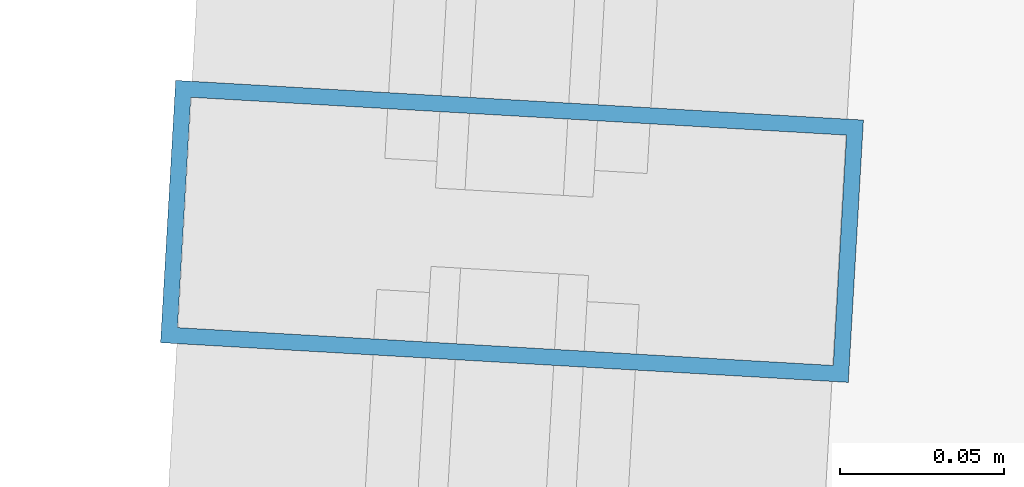
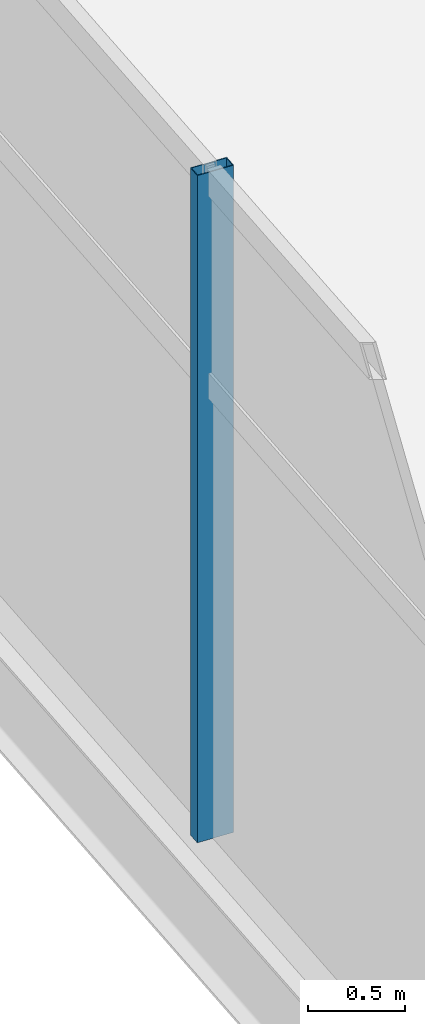
# One storey, part 38 of 184: 1 member, 1 element without a shape of its own.
"""IFC4 building model written with IfcOpenShell, lengths in metres."""

import ifcopenshell
import ifcopenshell.guid

model = None  # the IFC model being written
_history = None  # IfcOwnerHistory: only IFC2X3 demands one
_inside = {}  # id of a spatial element -> (the spatial element, [elements in it])
_under = {}  # id of a project, library or spatial element -> (it, [spatial elements below it])
_declared = {}  # id of a project -> (the project, [libraries it declares])
_typed = {}  # id of a type object -> (the type object, [elements of that type])
_made_of = {}  # id of a material, layer set ... -> (it, [elements and type objects made of it])


def new_model(schema):
    """Start an empty IFC model of exactly this schema.

    Asked for "IFC4X3", IfcOpenShell would pick the latest addendum, in which some entities
    have other attributes; the version numbers below select the first issue.
    IFC2X3 requires an IfcOwnerHistory on every rooted entity: one is made here for all.
    """
    global model, _history
    if schema == "IFC4X3":
        model = ifcopenshell.file(schema_version=(4, 3, 0, 0))
    else:
        model = ifcopenshell.file(schema=schema)
    _inside.clear()
    _under.clear()
    _declared.clear()
    _typed.clear()
    _made_of.clear()
    _history = None
    if model.schema == "IFC2X3":
        org = make("IfcOrganization", Name="unknown")
        user = make(
            "IfcPersonAndOrganization",
            ThePerson=make("IfcPerson", FamilyName="unknown"),
            TheOrganization=org,
        )
        app = make(
            "IfcApplication",
            ApplicationDeveloper=org,
            Version="unknown",
            ApplicationFullName="unknown",
            ApplicationIdentifier="unknown",
        )
        _history = make(
            "IfcOwnerHistory",
            OwningUser=user,
            OwningApplication=app,
            ChangeAction="ADDED",
            CreationDate=0,
        )
    return model


def make(cls, **values):
    """One entity of the class cls with the attributes given. An attribute that is None is left unset."""
    return model.create_entity(
        cls, **{name: value for name, value in values.items() if value is not None}
    )


def rooted(cls, **values):
    """An entity with a GlobalId (a new one), such as an element, a storey or a relation."""
    return make(cls, GlobalId=ifcopenshell.guid.new(), OwnerHistory=_history, **values)


def si_unit(unit_type, name, prefix=None):
    """IfcSIUnit, for example si_unit("LENGTHUNIT", "METRE", prefix="MILLI")."""
    return make("IfcSIUnit", UnitType=unit_type, Prefix=prefix, Name=name)


def assignment(units):
    """IfcUnitAssignment: the units of a project."""
    return None if units is None else make("IfcUnitAssignment", Units=units)


def point(xyz):
    """IfcCartesianPoint."""
    return None if xyz is None else make("IfcCartesianPoint", Coordinates=xyz)


def direction(xyz):
    """IfcDirection."""
    return None if xyz is None else make("IfcDirection", DirectionRatios=xyz)


def frame(location, z_axis=None, x_axis=None):
    """IfcAxis2Placement3D, a coordinate frame: its origin and axes. An axis left out is left unset."""
    return make(
        "IfcAxis2Placement3D",
        Location=point(location),
        Axis=direction(z_axis),
        RefDirection=direction(x_axis),
    )


def frame_2d(location, x_axis=None):
    """IfcAxis2Placement2D, a coordinate frame in the plane: its origin and x axis."""
    return make(
        "IfcAxis2Placement2D", Location=point(location), RefDirection=direction(x_axis)
    )


def origin():
    """The frame at (0, 0, 0) with its axes left unset."""
    return frame((0.0, 0.0, 0.0))


def origin_2d():
    """The frame at (0, 0) in the plane with its x axis left unset."""
    return frame_2d((0.0, 0.0))


def place(relative_to, where):
    """IfcLocalPlacement: puts the frame where relative to a parent placement (None: the world)."""
    return make(
        "IfcLocalPlacement", PlacementRelTo=relative_to, RelativePlacement=where
    )


def context(
    kind, dimensions, precision=None, world=None, true_north=None, identifier=None
):
    """IfcGeometricRepresentationContext, for example the 3D "Model" context."""
    return make(
        "IfcGeometricRepresentationContext",
        ContextIdentifier=identifier,
        ContextType=kind,
        CoordinateSpaceDimension=dimensions,
        Precision=precision,
        WorldCoordinateSystem=world,
        TrueNorth=true_north,
    )


def subcontext(parent, identifier, kind, view, scale=None):
    """IfcGeometricRepresentationSubContext, for example "Body" below "Model"."""
    return make(
        "IfcGeometricRepresentationSubContext",
        ContextIdentifier=identifier,
        ContextType=kind,
        ParentContext=parent,
        TargetScale=scale,
        TargetView=view,
    )


def project(units=None, contexts=None):
    """IfcProject with its units and contexts."""
    return rooted(
        "IfcProject",
        Name="project",
        RepresentationContexts=contexts,
        UnitsInContext=assignment(units),
    )


def spatial(cls, under=None, at=None, **own):
    """A site, building, storey or space (cls), placed at a placement, below another one or the project."""
    s = rooted(cls, ObjectPlacement=at, **own)
    if under is not None:
        _under.setdefault(under.id(), (under, []))[1].append(s)
    return s


def profile(cls, at=None, kind="AREA", **sizes):
    """A parametric profile (cls). Its sizes go by their IFC names, for example OverallWidth=200.0."""
    return make(cls, ProfileType=kind, Position=at, **sizes)


def hollow_rectangle(**sizes):
    """IfcRectangleHollowProfileDef."""
    return profile("IfcRectangleHollowProfileDef", **sizes)


def extrude(swept, where, along, depth):
    """IfcExtrudedAreaSolid: the profile swept, set in the frame where, extruded along a direction by depth."""
    return make(
        "IfcExtrudedAreaSolid",
        SweptArea=swept,
        Position=where,
        ExtrudedDirection=direction(along),
        Depth=depth,
    )


def shape(context_of_items, identifier, shape_type, items):
    """IfcShapeRepresentation: the items that make up one representation, for example the "Body"."""
    return make(
        "IfcShapeRepresentation",
        ContextOfItems=context_of_items,
        RepresentationIdentifier=identifier,
        RepresentationType=shape_type,
        Items=items,
    )


def material(Name=None, Category=None):
    """IfcMaterial."""
    return make("IfcMaterial", Name=Name, Category=Category)


def layer(
    of_material, thickness, ventilated=None, Name=None, Category=None, Priority=None
):
    """IfcMaterialLayer: one layer of a wall or slab, of a material (None: an air gap)."""
    return make(
        "IfcMaterialLayer",
        Material=of_material,
        LayerThickness=thickness,
        IsVentilated=ventilated,
        Name=Name,
        Category=Category,
        Priority=Priority,
    )


def layer_set(layers, Name=None):
    """IfcMaterialLayerSet."""
    return make("IfcMaterialLayerSet", MaterialLayers=layers, LayerSetName=Name)


def material_profile(
    of_material, cross_section, Name=None, Category=None, Priority=None
):
    """IfcMaterialProfile: a cross section and its material."""
    return make(
        "IfcMaterialProfile",
        Name=Name,
        Material=of_material,
        Profile=cross_section,
        Priority=Priority,
        Category=Category,
    )


def profile_set(profiles, Name=None, composite=None):
    """IfcMaterialProfileSet."""
    return make(
        "IfcMaterialProfileSet",
        Name=Name,
        MaterialProfiles=profiles,
        CompositeProfile=composite,
    )


def made_of(thing, what):
    """Note that an element or type object is made of a material, layer set ...; save() writes the relation."""
    if what is not None:
        _made_of.setdefault(what.id(), (what, []))[1].append(thing)
    return thing


def type_object(cls, material=None, **own):
    """A type object (cls), such as IfcWallType, which elements share."""
    return made_of(rooted(cls, **own), material)


def element(
    cls,
    number,
    at=None,
    inside=None,
    cuts=None,
    type_object=None,
    material=None,
    context=None,
    identifier="Body",
    shape_type=None,
    held_by="IfcProductDefinitionShape",
    body=None,
    shapes=None,
    **own,
):
    """One element of the class cls, such as IfcWall. Its Tag is "e" and its number.

    at: its placement. inside: the storey or other place that contains it. cuts: it is an
    opening in that element (IfcRelVoidsElement). A single representation is given by context,
    identifier, shape_type and body (its items); several are given by shapes. held_by: the class
    of the entity that holds the representations. save() writes the other relations.
    """
    e = rooted(cls, Tag="e%d" % number, ObjectPlacement=at, **own)
    if body is not None:
        shapes = [shape(context, identifier, shape_type, body)]
    if shapes is not None:
        e.Representation = make(held_by, Representations=shapes)
    if inside is not None:
        _inside.setdefault(inside.id(), (inside, []))[1].append(e)
    if cuts is not None:
        rooted(
            "IfcRelVoidsElement", RelatingBuildingElement=cuts, RelatedOpeningElement=e
        )
    if type_object is not None:
        _typed.setdefault(type_object.id(), (type_object, []))[1].append(e)
    return made_of(e, material)


def aggregate(whole, parts):
    """IfcRelAggregates: a whole, such as a stair, and the parts it consists of."""
    return rooted("IfcRelAggregates", RelatingObject=whole, RelatedObjects=parts)


def save(model, path):
    """Write the relations noted so far, then the file.

    IfcRelAggregates (storeys below a building ...), IfcRelContainedInSpatialStructure (elements
    in a storey), IfcRelDefinesByType, IfcRelAssociatesMaterial and IfcRelDeclares: one each for
    every whole, place, type object, material and project.
    """
    for whole, parts in _under.values():
        aggregate(whole, parts)
    for where, things in _inside.values():
        rooted(
            "IfcRelContainedInSpatialStructure",
            RelatedElements=things,
            RelatingStructure=where,
        )
    for kind, things in _typed.values():
        rooted("IfcRelDefinesByType", RelatedObjects=things, RelatingType=kind)
    for what, things in _made_of.values():
        rooted("IfcRelAssociatesMaterial", RelatedObjects=things, RelatingMaterial=what)
    for by, libraries in _declared.values():
        rooted("IfcRelDeclares", RelatingContext=by, RelatedDefinitions=libraries)
    model.write(path)


model = new_model("IFC4")

# Units and contexts
model_context = context("Model", 3, precision=1e-05, world=origin(), true_north=direction((0.0, 1.0)))
body_context = subcontext(model_context, "Body", "Model", "MODEL_VIEW")
ifc_project = project(units=[si_unit("LENGTHUNIT", "METRE"), si_unit("AREAUNIT", "SQUARE_METRE"), si_unit("VOLUMEUNIT", "CUBIC_METRE"), si_unit("PLANEANGLEUNIT", "RADIAN"), si_unit("MASSUNIT", "GRAM", prefix="KILO")], contexts=[model_context])

# Site, building, storey
site_placement = place(None, origin())
site = spatial("IfcSite", under=ifc_project, at=site_placement, CompositionType="ELEMENT")
building_placement = place(site_placement, origin())
building = spatial("IfcBuilding", under=site, at=building_placement, Name="Kazemori Nagisa Stadium", CompositionType="ELEMENT")
storey_placement = place(building_placement, frame((0.0, 0.0, 10.5400390625)))
storey = spatial("IfcBuildingStorey", under=building, at=storey_placement, Name="L02", CompositionType="ELEMENT", Elevation=10.5400390625)

# Curtain wall, member
ifc_material_1 = material(Name="Anodised aluminium 6063-T5", Category="aluminium")
ifc_layer = layer(ifc_material_1, 0.2099609375, Name="Anodised aluminium 6063-T5", Category="aluminium")
ifc_layer_set = layer_set([ifc_layer], Name="Anodised aluminium 6063-T5")
curtain_wall_type = type_object("IfcCurtainWallType", Name="CW_L02R3_93", PredefinedType="USERDEFINED", material=ifc_layer_set)
curtain_wall_placement = place(storey_placement, origin())
curtain_wall = element("IfcCurtainWall", 1, at=curtain_wall_placement, inside=storey, type_object=curtain_wall_type, Name="Unitised curtain wall CW-L02R3-93 L02", ObjectType="UNITISED CURTAIN WALL", PredefinedType="USERDEFINED")
ifc_material_2 = material(Name="Aluminium 6063-T5 anodised", Category="aluminium")
ifc_material_profile = material_profile(ifc_material_2, hollow_rectangle(XDim=0.080078125, YDim=0.2099609375, WallThickness=0.0048828125, at=origin_2d()), Name="ALU-MULL-80x210x5")
ifc_profile_set = profile_set([ifc_material_profile], Name="Aluminium 6063-T5 anodised")
member_type = type_object("IfcMemberType", Name="Mullion_M02", PredefinedType="MULLION", material=ifc_profile_set)
member_placement = place(storey_placement, frame((22.381591796875, 108.614013671875, 0.0), z_axis=(0.0, 0.0, 1.0), x_axis=(-0.057601670941, -0.998339645364, 0.0)))
member = element("IfcMember", 2, at=member_placement, type_object=member_type, Name="Curtain wall mullion CW-L02R3-93-M3", PredefinedType="MULLION", context=body_context, shape_type="SweptSolid", body=[
    extrude(hollow_rectangle(XDim=0.080078125, YDim=0.2099609375, WallThickness=0.0048828125, at=origin_2d()), origin(), (0.0, 0.0, 1.0), 4.18994140625),
])
aggregate(curtain_wall, [member])

save(model, "model.ifc")
